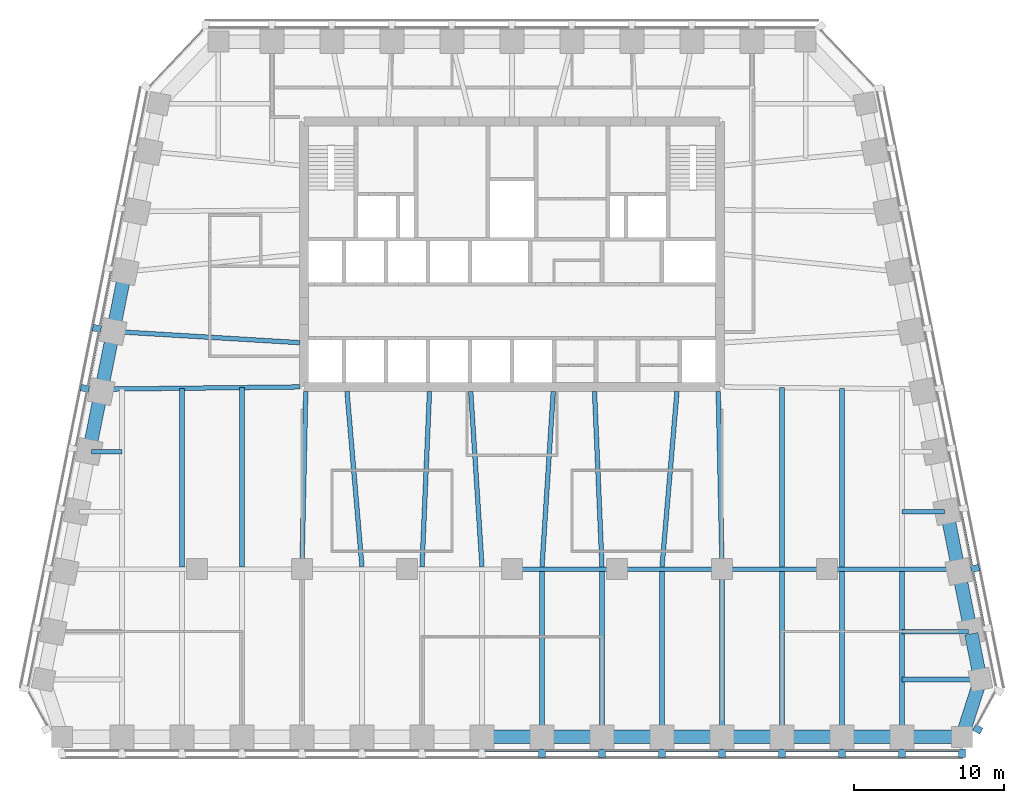
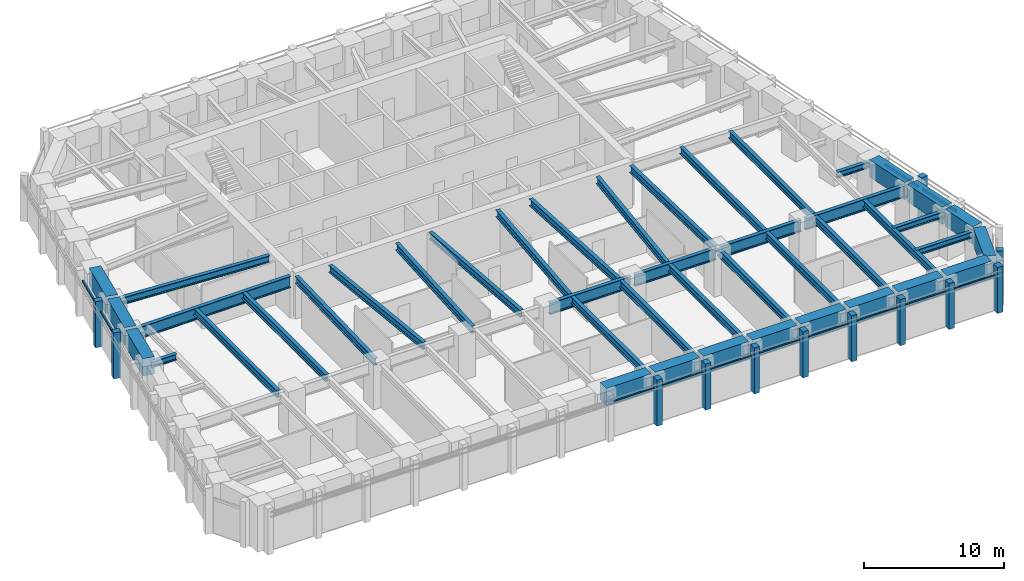
# One storey, part 2 of 10: 44 beams, 24 members, 4 elements without a shape of their own.
"""IFC4 building model written with IfcOpenShell, lengths in metres."""

from ifc_helpers import new_model, si_unit, direction, frame, origin, origin_2d, place, context, subcontext, project, spatial, rectangle, i_section, extrude, material, material_profile, profile_set, type_object, element, aggregate, save


model = new_model("IFC4")

# Units and contexts
model_context = context("Model", 3, precision=1e-05, world=origin(), true_north=direction((0.0, 1.0)))
body_context = subcontext(model_context, "Body", "Model", "MODEL_VIEW")
ifc_project = project(units=[si_unit("LENGTHUNIT", "METRE"), si_unit("AREAUNIT", "SQUARE_METRE"), si_unit("VOLUMEUNIT", "CUBIC_METRE"), si_unit("PLANEANGLEUNIT", "RADIAN"), si_unit("MASSUNIT", "GRAM", prefix="KILO")], contexts=[model_context])

# Site, building, storey
site_placement = place(None, origin())
site = spatial("IfcSite", under=ifc_project, at=site_placement, CompositionType="ELEMENT")
building_placement = place(site_placement, origin())
building = spatial("IfcBuilding", under=site, at=building_placement, Name="Isbrekke Arena Tower", CompositionType="ELEMENT")
storey_placement = place(building_placement, frame((0.0, 0.0, 238.0)))
storey = spatial("IfcBuildingStorey", under=building, at=storey_placement, Name="L55", CompositionType="ELEMENT", Elevation=238.0)

# Beams
ifc_material_1 = material(Name="Steel S355", Category="steel")
ifc_material_profile_1 = material_profile(ifc_material_1, i_section(OverallWidth=0.304931640625, OverallDepth=0.6201171875, WebThickness=0.02099609375, FlangeThickness=0.0400390625, FilletRadius=0.027099609375, at=origin_2d()), Name="HEM 600")
ifc_profile_set_1 = profile_set([ifc_material_profile_1], Name="Steel S355")
beam_type_1 = type_object("IfcBeamType", Name="B4 HEM 600", PredefinedType="BEAM", material=ifc_profile_set_1)
for number, where, z_axis, x_axis, name in (
    (1, (2.0, -17.02490234375, 3.43994140625), (0.0, 1.0, 0.0), (-1.0, 0.0, 0.0), "B4 beam S-S09 L55"),
    (2, (6.0, -17.02490234375, 3.43994140625), (0.0, 1.0, 0.0), (-1.0, 0.0, 0.0), "B4 beam S-S10 L55"),
    (3, (10.0, -17.02490234375, 3.43994140625), (0.0, 1.0, 0.0), (-1.0, 0.0, 0.0), "B4 beam S-S11 L55"),
):
    element("IfcBeam", number, at=place(storey_placement, frame(where, z_axis=z_axis, x_axis=x_axis)), inside=storey, type_object=beam_type_1, Name=name, PredefinedType="BEAM", context=body_context, shape_type="SweptSolid", body=[
        extrude(i_section(OverallWidth=0.304931640625, OverallDepth=0.6201171875, WebThickness=0.02099609375, FlangeThickness=0.0400390625, FilletRadius=0.027099609375, at=origin_2d()), origin(), (0.0, 0.0, 1.0), 10.8740234375),
    ])
beam_1_placement = place(storey_placement, frame((14.0, -17.02490234375, 3.43994140625), z_axis=(0.0, 1.0, 0.0), x_axis=(-1.0, 0.0, 0.0)))
element("IfcBeam", 4, at=beam_1_placement, inside=storey, type_object=beam_type_1, Name="B4 beam S-S12 L55", PredefinedType="BEAM", context=body_context, shape_type="SweptSolid", body=[
    extrude(i_section(OverallWidth=0.304931640625, OverallDepth=0.6201171875, WebThickness=0.02099609375, FlangeThickness=0.0400390625, FilletRadius=0.027099609375, at=origin_2d()), origin(), (0.0, 0.0, 1.0), 10.875),
])
for number, where, z_axis, x_axis, name in (
    (5, (18.0, -17.02490234375, 3.43994140625), (0.0, 1.0, 0.0), (-1.0, 0.0, 0.0), "B4 beam S-S13 L55"),
    (6, (22.0, -17.02490234375, 3.43994140625), (0.0, 1.0, 0.0), (-1.0, 0.0, 0.0), "B4 beam S-S14 L55"),
    (7, (26.0, -17.02490234375, 3.43994140625), (0.0, 1.0, 0.0), (-1.0, 0.0, 0.0), "B4 beam S-S15 L55"),
):
    element("IfcBeam", number, at=place(storey_placement, frame(where, z_axis=z_axis, x_axis=x_axis)), inside=storey, type_object=beam_type_1, Name=name, PredefinedType="BEAM", context=body_context, shape_type="SweptSolid", body=[
        extrude(i_section(OverallWidth=0.304931640625, OverallDepth=0.6201171875, WebThickness=0.02099609375, FlangeThickness=0.0400390625, FilletRadius=0.027099609375, at=origin_2d()), origin(), (0.0, 0.0, 1.0), 10.8740234375),
    ])
beam_2_placement = place(storey_placement, frame((-22.0, -5.84912109375, 3.43994140625), z_axis=(0.0, 1.0, 0.0), x_axis=(-1.0, 0.0, 0.0)))
element("IfcBeam", 8, at=beam_2_placement, inside=storey, type_object=beam_type_1, Name="B4 beam C-M02 L55", PredefinedType="BEAM", context=body_context, shape_type="SweptSolid", body=[
    extrude(i_section(OverallWidth=0.304931640625, OverallDepth=0.6201171875, WebThickness=0.02099609375, FlangeThickness=0.0400390625, FilletRadius=0.027099609375, at=origin_2d()), origin(), (0.0, 0.0, 1.0), 11.91015625),
])
beam_3_placement = place(storey_placement, frame((-18.0, -5.84912109375, 3.43994140625), z_axis=(0.0, 1.0, 0.0), x_axis=(-1.0, 0.0, 0.0)))
element("IfcBeam", 9, at=beam_3_placement, inside=storey, type_object=beam_type_1, Name="B4 beam C-M03 L55", PredefinedType="BEAM", context=body_context, shape_type="SweptSolid", body=[
    extrude(i_section(OverallWidth=0.304931640625, OverallDepth=0.6201171875, WebThickness=0.02099609375, FlangeThickness=0.0400390625, FilletRadius=0.027099609375, at=origin_2d()), origin(), (0.0, 0.0, 1.0), 11.95556640625),
])
beam_4_placement = place(storey_placement, frame((-14.0, -5.8466796875, 3.43994140625), z_axis=(0.021368528218, 0.999771666933, 0.0), x_axis=(-0.999771666933, 0.021368528218, 0.0)))
element("IfcBeam", 10, at=beam_4_placement, inside=storey, type_object=beam_type_1, Name="B4 beam C-M04 L55", PredefinedType="BEAM", context=body_context, shape_type="SweptSolid", body=[
    extrude(i_section(OverallWidth=0.304931640625, OverallDepth=0.6201171875, WebThickness=0.02099609375, FlangeThickness=0.0400390625, FilletRadius=0.027099609375, at=origin_2d()), origin(), (0.0, 0.0, 1.0), 11.699462890625),
])
beam_5_placement = place(storey_placement, frame((-10.001220703125, -5.8359375, 3.43994140625), z_axis=(-0.085157304172, 0.996367519315, 0.0), x_axis=(-0.996367519315, -0.085157304172, 0.0)))
element("IfcBeam", 11, at=beam_5_placement, inside=storey, type_object=beam_type_1, Name="B4 beam C-M05 L55", PredefinedType="BEAM", context=body_context, shape_type="SweptSolid", body=[
    extrude(i_section(OverallWidth=0.304931640625, OverallDepth=0.6201171875, WebThickness=0.02099609375, FlangeThickness=0.0400390625, FilletRadius=0.027099609375, at=origin_2d()), origin(), (0.0, 0.0, 1.0), 11.728759765625),
])
beam_6_placement = place(storey_placement, frame((-5.999755859375, -5.842529296875, 3.43994140625), z_axis=(0.042702124015, 0.999087848292, 0.0), x_axis=(-0.999087848292, 0.042702124015, 0.0)))
element("IfcBeam", 12, at=beam_6_placement, inside=storey, type_object=beam_type_1, Name="B4 beam C-M06 L55", PredefinedType="BEAM", context=body_context, shape_type="SweptSolid", body=[
    extrude(i_section(OverallWidth=0.304931640625, OverallDepth=0.6201171875, WebThickness=0.02099609375, FlangeThickness=0.0400390625, FilletRadius=0.027099609375, at=origin_2d()), origin(), (0.0, 0.0, 1.0), 11.703369140625),
])
for number, where, z_axis, x_axis, name in (
    (13, (-2.000732421875, -5.83935546875, 3.43994140625), (-0.063966475255, 0.997952047968, 0.0), (-0.997952047968, -0.063966475255, 0.0), "B4 beam C-M07 L55"),
    (14, (2.000732421875, -5.83935546875, 3.43994140625), (0.063966475255, 0.997952047968, 0.0), (-0.997952047968, 0.063966475255, 0.0), "B4 beam C-M08 L55"),
):
    element("IfcBeam", number, at=place(storey_placement, frame(where, z_axis=z_axis, x_axis=x_axis)), inside=storey, type_object=beam_type_1, Name=name, PredefinedType="BEAM", context=body_context, shape_type="SweptSolid", body=[
        extrude(i_section(OverallWidth=0.304931640625, OverallDepth=0.6201171875, WebThickness=0.02099609375, FlangeThickness=0.0400390625, FilletRadius=0.027099609375, at=origin_2d()), origin(), (0.0, 0.0, 1.0), 11.71337890625),
    ])
beam_7_placement = place(storey_placement, frame((5.999755859375, -5.842529296875, 3.43994140625), z_axis=(-0.042702124015, 0.999087848292, 0.0), x_axis=(-0.999087848292, -0.042702124015, 0.0)))
element("IfcBeam", 15, at=beam_7_placement, inside=storey, type_object=beam_type_1, Name="B4 beam C-M09 L55", PredefinedType="BEAM", context=body_context, shape_type="SweptSolid", body=[
    extrude(i_section(OverallWidth=0.304931640625, OverallDepth=0.6201171875, WebThickness=0.02099609375, FlangeThickness=0.0400390625, FilletRadius=0.027099609375, at=origin_2d()), origin(), (0.0, 0.0, 1.0), 11.703369140625),
])
beam_8_placement = place(storey_placement, frame((10.001220703125, -5.8359375, 3.43994140625), z_axis=(0.085157304172, 0.996367519315, 0.0), x_axis=(-0.996367519315, 0.085157304172, 0.0)))
element("IfcBeam", 16, at=beam_8_placement, inside=storey, type_object=beam_type_1, Name="B4 beam C-M10 L55", PredefinedType="BEAM", context=body_context, shape_type="SweptSolid", body=[
    extrude(i_section(OverallWidth=0.304931640625, OverallDepth=0.6201171875, WebThickness=0.02099609375, FlangeThickness=0.0400390625, FilletRadius=0.027099609375, at=origin_2d()), origin(), (0.0, 0.0, 1.0), 11.728759765625),
])
beam_9_placement = place(storey_placement, frame((14.0, -5.8466796875, 3.43994140625), z_axis=(-0.021368528218, 0.999771666933, 0.0), x_axis=(-0.999771666933, -0.021368528218, 0.0)))
element("IfcBeam", 17, at=beam_9_placement, inside=storey, type_object=beam_type_1, Name="B4 beam C-M11 L55", PredefinedType="BEAM", context=body_context, shape_type="SweptSolid", body=[
    extrude(i_section(OverallWidth=0.304931640625, OverallDepth=0.6201171875, WebThickness=0.02099609375, FlangeThickness=0.0400390625, FilletRadius=0.027099609375, at=origin_2d()), origin(), (0.0, 0.0, 1.0), 11.699462890625),
])
beam_10_placement = place(storey_placement, frame((18.0, -5.84912109375, 3.43994140625), z_axis=(0.0, 1.0, 0.0), x_axis=(-1.0, 0.0, 0.0)))
element("IfcBeam", 18, at=beam_10_placement, inside=storey, type_object=beam_type_1, Name="B4 beam C-M12 L55", PredefinedType="BEAM", context=body_context, shape_type="SweptSolid", body=[
    extrude(i_section(OverallWidth=0.304931640625, OverallDepth=0.6201171875, WebThickness=0.02099609375, FlangeThickness=0.0400390625, FilletRadius=0.027099609375, at=origin_2d()), origin(), (0.0, 0.0, 1.0), 11.95556640625),
])
beam_11_placement = place(storey_placement, frame((22.0, -5.84912109375, 3.43994140625), z_axis=(0.0, 1.0, 0.0), x_axis=(-1.0, 0.0, 0.0)))
element("IfcBeam", 19, at=beam_11_placement, inside=storey, type_object=beam_type_1, Name="B4 beam C-M13 L55", PredefinedType="BEAM", context=body_context, shape_type="SweptSolid", body=[
    extrude(i_section(OverallWidth=0.304931640625, OverallDepth=0.6201171875, WebThickness=0.02099609375, FlangeThickness=0.0400390625, FilletRadius=0.027099609375, at=origin_2d()), origin(), (0.0, 0.0, 1.0), 11.91015625),
])
beam_12_placement = place(storey_placement, frame((-26.431884765625, 9.837646484375, 3.43994140625), z_axis=(0.998201783607, -0.059943299904, 0.0), x_axis=(0.059943299904, 0.998201783607, 0.0)))
element("IfcBeam", 20, at=beam_12_placement, inside=storey, type_object=beam_type_1, Name="B4 beam E-W05 L55", PredefinedType="BEAM", context=body_context, shape_type="SweptSolid", body=[
    extrude(i_section(OverallWidth=0.304931640625, OverallDepth=0.6201171875, WebThickness=0.02099609375, FlangeThickness=0.0400390625, FilletRadius=0.027099609375, at=origin_2d()), origin(), (0.0, 0.0, 1.0), 12.30419921875),
])
ifc_material_2 = material(Name="Steel S355", Category="steel")
ifc_material_profile_2 = material_profile(ifc_material_2, i_section(OverallWidth=0.305908203125, OverallDepth=0.52392578125, WebThickness=0.02099609375, FlangeThickness=0.0400390625, FilletRadius=0.027099609375, at=origin_2d()), Name="HEM 500")
ifc_profile_set_2 = profile_set([ifc_material_profile_2], Name="Steel S355")
beam_type_2 = type_object("IfcBeamType", Name="B5 HEM 500", PredefinedType="BEAM", material=ifc_profile_set_2)
beam_13_placement = place(storey_placement, frame((31.079345703125, -13.352783203125, 3.488037109375), z_axis=(-1.0, 0.0, 0.0), x_axis=(0.0, -1.0, 0.0)))
element("IfcBeam", 21, at=beam_13_placement, inside=storey, type_object=beam_type_2, Name="B5 beam E-E01 L55", PredefinedType="BEAM", context=body_context, shape_type="SweptSolid", body=[
    extrude(i_section(OverallWidth=0.305908203125, OverallDepth=0.52392578125, WebThickness=0.02099609375, FlangeThickness=0.0400390625, FilletRadius=0.027099609375, at=origin_2d()), origin(), (0.0, 0.0, 1.0), 5.079345703125),
])
beam_14_placement = place(storey_placement, frame((30.44091796875, -10.161865234375, 3.488037109375), z_axis=(-1.0, 0.0, 0.0), x_axis=(0.0, -1.0, 0.0)))
element("IfcBeam", 22, at=beam_14_placement, inside=storey, type_object=beam_type_2, Name="B5 beam E-E02 L55", PredefinedType="BEAM", context=body_context, shape_type="SweptSolid", body=[
    extrude(i_section(OverallWidth=0.305908203125, OverallDepth=0.52392578125, WebThickness=0.02099609375, FlangeThickness=0.0400390625, FilletRadius=0.027099609375, at=origin_2d()), origin(), (0.0, 0.0, 1.0), 4.44091796875),
])
beam_15_placement = place(storey_placement, frame((28.841064453125, -2.161865234375, 3.488037109375), z_axis=(-1.0, 0.0, 0.0), x_axis=(0.0, -1.0, 0.0)))
element("IfcBeam", 23, at=beam_15_placement, inside=storey, type_object=beam_type_2, Name="B5 beam E-E04 L55", PredefinedType="BEAM", context=body_context, shape_type="SweptSolid", body=[
    extrude(i_section(OverallWidth=0.305908203125, OverallDepth=0.52392578125, WebThickness=0.02099609375, FlangeThickness=0.0400390625, FilletRadius=0.027099609375, at=origin_2d()), origin(), (0.0, 0.0, 1.0), 2.841064453125),
])
beam_16_placement = place(storey_placement, frame((-28.041015625, 1.838134765625, 3.488037109375), z_axis=(1.0, 0.0, 0.0), x_axis=(0.0, 1.0, 0.0)))
element("IfcBeam", 24, at=beam_16_placement, inside=storey, type_object=beam_type_2, Name="B5 beam E-W07 L55", PredefinedType="BEAM", context=body_context, shape_type="SweptSolid", body=[
    extrude(i_section(OverallWidth=0.305908203125, OverallDepth=0.52392578125, WebThickness=0.02099609375, FlangeThickness=0.0400390625, FilletRadius=0.027099609375, at=origin_2d()), origin(), (0.0, 0.0, 1.0), 2.041015625),
])

# Curtain wall, members
ifc_material_3 = material(Name="Glazed aluminium curtain wall", Category="aluminium")
curtain_wall_type = type_object("IfcCurtainWallType", Name="CWH TOWER CURTAIN WALL HIGH ZONE", PredefinedType="USERDEFINED", material=ifc_material_3)
curtain_wall_1_placement = place(storey_placement, origin())
curtain_wall_1 = element("IfcCurtainWall", 25, at=curtain_wall_1_placement, inside=storey, type_object=curtain_wall_type, Name="CWH curtain wall L55-S", ObjectType="TOWER CURTAIN WALL HIGH ZONE", PredefinedType="USERDEFINED")
ifc_material_4 = material(Name="Aluminium mullion, pale brick slip cladding", Category="masonry")
ifc_material_profile_3 = material_profile(ifc_material_4, rectangle(XDim=0.449951171875, YDim=0.550048828125, at=origin_2d()), Name="PIER 450X550")
ifc_profile_set_3 = profile_set([ifc_material_profile_3], Name="Aluminium mullion, pale brick slip cladding")
member_type_1 = type_object("IfcMemberType", Name="CWH-M PIER MULLION 450 x 550", PredefinedType="MULLION", material=ifc_profile_set_3)
member_1_placement = place(storey_placement, frame((2.0, -18.27490234375, 0.0), z_axis=(0.0, 0.0, 1.0), x_axis=(1.0, 0.0, 0.0)))
member_1 = element("IfcMember", 26, at=member_1_placement, type_object=member_type_1, Name="CWH-M mullion 9", PredefinedType="MULLION", context=body_context, shape_type="SweptSolid", body=[
    extrude(rectangle(XDim=0.449951171875, YDim=0.550048828125, at=origin_2d()), origin(), (0.0, 0.0, 1.0), 4.0),
])
member_2_placement = place(storey_placement, frame((6.0, -18.27490234375, 0.0), z_axis=(0.0, 0.0, 1.0), x_axis=(1.0, 0.0, 0.0)))
member_2 = element("IfcMember", 27, at=member_2_placement, type_object=member_type_1, Name="CWH-M mullion 10", PredefinedType="MULLION", context=body_context, shape_type="SweptSolid", body=[
    extrude(rectangle(XDim=0.449951171875, YDim=0.550048828125, at=origin_2d()), origin(), (0.0, 0.0, 1.0), 4.0),
])
member_3_placement = place(storey_placement, frame((10.0, -18.27490234375, 0.0), z_axis=(0.0, 0.0, 1.0), x_axis=(1.0, 0.0, 0.0)))
member_3 = element("IfcMember", 28, at=member_3_placement, type_object=member_type_1, Name="CWH-M mullion 11", PredefinedType="MULLION", context=body_context, shape_type="SweptSolid", body=[
    extrude(rectangle(XDim=0.449951171875, YDim=0.550048828125, at=origin_2d()), origin(), (0.0, 0.0, 1.0), 4.0),
])
member_4_placement = place(storey_placement, frame((14.0, -18.27490234375, 0.0), z_axis=(0.0, 0.0, 1.0), x_axis=(1.0, 0.0, 0.0)))
member_4 = element("IfcMember", 29, at=member_4_placement, type_object=member_type_1, Name="CWH-M mullion 12", PredefinedType="MULLION", context=body_context, shape_type="SweptSolid", body=[
    extrude(rectangle(XDim=0.449951171875, YDim=0.550048828125, at=origin_2d()), origin(), (0.0, 0.0, 1.0), 4.0),
])
member_5_placement = place(storey_placement, frame((18.0, -18.27490234375, 0.0), z_axis=(0.0, 0.0, 1.0), x_axis=(1.0, 0.0, 0.0)))
member_5 = element("IfcMember", 30, at=member_5_placement, type_object=member_type_1, Name="CWH-M mullion 13", PredefinedType="MULLION", context=body_context, shape_type="SweptSolid", body=[
    extrude(rectangle(XDim=0.449951171875, YDim=0.550048828125, at=origin_2d()), origin(), (0.0, 0.0, 1.0), 4.0),
])
member_6_placement = place(storey_placement, frame((22.0, -18.27490234375, 0.0), z_axis=(0.0, 0.0, 1.0), x_axis=(1.0, 0.0, 0.0)))
member_6 = element("IfcMember", 31, at=member_6_placement, type_object=member_type_1, Name="CWH-M mullion 14", PredefinedType="MULLION", context=body_context, shape_type="SweptSolid", body=[
    extrude(rectangle(XDim=0.449951171875, YDim=0.550048828125, at=origin_2d()), origin(), (0.0, 0.0, 1.0), 4.0),
])
member_7_placement = place(storey_placement, frame((26.0, -18.27490234375, 0.0), z_axis=(0.0, 0.0, 1.0), x_axis=(1.0, 0.0, 0.0)))
member_7 = element("IfcMember", 32, at=member_7_placement, type_object=member_type_1, Name="CWH-M mullion 15", PredefinedType="MULLION", context=body_context, shape_type="SweptSolid", body=[
    extrude(rectangle(XDim=0.449951171875, YDim=0.550048828125, at=origin_2d()), origin(), (0.0, 0.0, 1.0), 4.0),
])
member_8_placement = place(storey_placement, frame((30.0, -18.27490234375, 0.0), z_axis=(0.0, 0.0, 1.0), x_axis=(1.0, 0.0, 0.0)))
member_8 = element("IfcMember", 33, at=member_8_placement, type_object=member_type_1, Name="CWH-M mullion 16", PredefinedType="MULLION", context=body_context, shape_type="SweptSolid", body=[
    extrude(rectangle(XDim=0.449951171875, YDim=0.550048828125, at=origin_2d()), origin(), (0.0, 0.0, 1.0), 4.0),
])

# Curtain wall, member
curtain_wall_2_placement = place(storey_placement, origin())
curtain_wall_2 = element("IfcCurtainWall", 34, at=curtain_wall_2_placement, inside=storey, type_object=curtain_wall_type, Name="CWH curtain wall L55-SE", ObjectType="TOWER CURTAIN WALL HIGH ZONE", PredefinedType="USERDEFINED")
member_9_placement = place(storey_placement, frame((31.047119140625, -16.666748046875, 0.0), z_axis=(0.0, 0.0, 1.0), x_axis=(0.481918749773, 0.876215908676, 0.0)))
member_9 = element("IfcMember", 35, at=member_9_placement, type_object=member_type_1, Name="CWH-M mullion 1", PredefinedType="MULLION", context=body_context, shape_type="SweptSolid", body=[
    extrude(rectangle(XDim=0.449951171875, YDim=0.550048828125, at=origin_2d()), origin(), (0.0, 0.0, 1.0), 4.0),
])
aggregate(curtain_wall_2, [member_9])

curtain_wall_3_placement = place(storey_placement, origin())
curtain_wall_3 = element("IfcCurtainWall", 36, at=curtain_wall_3_placement, inside=storey, type_object=curtain_wall_type, Name="CWH curtain wall L55-E", ObjectType="TOWER CURTAIN WALL HIGH ZONE", PredefinedType="USERDEFINED")
member_10_placement = place(storey_placement, frame((30.86962890625, -5.946044921875, 0.0), z_axis=(0.0, 0.0, 1.0), x_axis=(-0.196116135138, 0.980580675691, 0.0)))
member_10 = element("IfcMember", 37, at=member_10_placement, type_object=member_type_1, Name="CWH-M mullion 2", PredefinedType="MULLION", context=body_context, shape_type="SweptSolid", body=[
    extrude(rectangle(XDim=0.449951171875, YDim=0.550048828125, at=origin_2d()), origin(), (0.0, 0.0, 1.0), 4.0),
])

# Curtain wall, members
curtain_wall_4_placement = place(storey_placement, origin())
curtain_wall_4 = element("IfcCurtainWall", 38, at=curtain_wall_4_placement, inside=storey, type_object=curtain_wall_type, Name="CWH curtain wall L55-W", ObjectType="TOWER CURTAIN WALL HIGH ZONE", PredefinedType="USERDEFINED")
member_11_placement = place(storey_placement, frame((-27.669677734375, 10.053955078125, 0.0), z_axis=(0.0, 0.0, 1.0), x_axis=(-0.196116135138, -0.980580675691, 0.0)))
member_11 = element("IfcMember", 39, at=member_11_placement, type_object=member_type_1, Name="CWH-M mullion 4", PredefinedType="MULLION", context=body_context, shape_type="SweptSolid", body=[
    extrude(rectangle(XDim=0.449951171875, YDim=0.550048828125, at=origin_2d()), origin(), (0.0, 0.0, 1.0), 4.0),
])
member_12_placement = place(storey_placement, frame((-28.4697265625, 6.053955078125, 0.0), z_axis=(0.0, 0.0, 1.0), x_axis=(-0.196116135138, -0.980580675691, 0.0)))
member_12 = element("IfcMember", 40, at=member_12_placement, type_object=member_type_1, Name="CWH-M mullion 5", PredefinedType="MULLION", context=body_context, shape_type="SweptSolid", body=[
    extrude(rectangle(XDim=0.449951171875, YDim=0.550048828125, at=origin_2d()), origin(), (0.0, 0.0, 1.0), 4.0),
])

# Member
ifc_material_5 = material(Name="Aluminium transom", Category="aluminium")
ifc_material_profile_4 = material_profile(ifc_material_5, rectangle(XDim=0.1201171875, YDim=0.199951171875, at=origin_2d()), Name="TRANSOM 120X200")
ifc_profile_set_4 = profile_set([ifc_material_profile_4], Name="Aluminium transom")
member_type_2 = type_object("IfcMemberType", Name="CWH-T TRANSOM 120 x 200", PredefinedType="USERDEFINED", material=ifc_profile_set_4)
member_13_placement = place(storey_placement, frame((-1.77490234375, -18.10009765625, 3.0), z_axis=(1.0, 0.0, 0.0), x_axis=(0.0, 1.0, 0.0)))
member_13 = element("IfcMember", 41, at=member_13_placement, type_object=member_type_2, Name="CWH-T transom 8", ObjectType="TRANSOM", PredefinedType="USERDEFINED", context=body_context, shape_type="SweptSolid", body=[
    extrude(rectangle(XDim=0.1201171875, YDim=0.199951171875, at=origin_2d()), origin(), (0.0, 0.0, 1.0), 3.5498046875),
])

member_14_placement = place(storey_placement, frame((2.22509765625, -18.10009765625, 3.0), z_axis=(1.0, 0.0, 0.0), x_axis=(0.0, 1.0, 0.0)))
member_14 = element("IfcMember", 42, at=member_14_placement, type_object=member_type_2, Name="CWH-T transom 9", ObjectType="TRANSOM", PredefinedType="USERDEFINED", context=body_context, shape_type="SweptSolid", body=[
    extrude(rectangle(XDim=0.1201171875, YDim=0.199951171875, at=origin_2d()), origin(), (0.0, 0.0, 1.0), 3.5498046875),
])

member_15_placement = place(storey_placement, frame((6.22509765625, -18.10009765625, 3.0), z_axis=(1.0, 0.0, 0.0), x_axis=(0.0, 1.0, 0.0)))
member_15 = element("IfcMember", 43, at=member_15_placement, type_object=member_type_2, Name="CWH-T transom 10", ObjectType="TRANSOM", PredefinedType="USERDEFINED", context=body_context, shape_type="SweptSolid", body=[
    extrude(rectangle(XDim=0.1201171875, YDim=0.199951171875, at=origin_2d()), origin(), (0.0, 0.0, 1.0), 3.5498046875),
])

member_16_placement = place(storey_placement, frame((10.22509765625, -18.10009765625, 3.0), z_axis=(1.0, 0.0, 0.0), x_axis=(0.0, 1.0, 0.0)))
member_16 = element("IfcMember", 44, at=member_16_placement, type_object=member_type_2, Name="CWH-T transom 11", ObjectType="TRANSOM", PredefinedType="USERDEFINED", context=body_context, shape_type="SweptSolid", body=[
    extrude(rectangle(XDim=0.1201171875, YDim=0.199951171875, at=origin_2d()), origin(), (0.0, 0.0, 1.0), 3.5498046875),
])

member_17_placement = place(storey_placement, frame((14.22509765625, -18.10009765625, 3.0), z_axis=(1.0, 0.0, 0.0), x_axis=(0.0, 1.0, 0.0)))
member_17 = element("IfcMember", 45, at=member_17_placement, type_object=member_type_2, Name="CWH-T transom 12", ObjectType="TRANSOM", PredefinedType="USERDEFINED", context=body_context, shape_type="SweptSolid", body=[
    extrude(rectangle(XDim=0.1201171875, YDim=0.199951171875, at=origin_2d()), origin(), (0.0, 0.0, 1.0), 3.5498046875),
])

member_18_placement = place(storey_placement, frame((18.22509765625, -18.10009765625, 3.0), z_axis=(1.0, 0.0, 0.0), x_axis=(0.0, 1.0, 0.0)))
member_18 = element("IfcMember", 46, at=member_18_placement, type_object=member_type_2, Name="CWH-T transom 13", ObjectType="TRANSOM", PredefinedType="USERDEFINED", context=body_context, shape_type="SweptSolid", body=[
    extrude(rectangle(XDim=0.1201171875, YDim=0.199951171875, at=origin_2d()), origin(), (0.0, 0.0, 1.0), 3.5498046875),
])

member_19_placement = place(storey_placement, frame((22.22509765625, -18.10009765625, 3.0), z_axis=(1.0, 0.0, 0.0), x_axis=(0.0, 1.0, 0.0)))
member_19 = element("IfcMember", 47, at=member_19_placement, type_object=member_type_2, Name="CWH-T transom 14", ObjectType="TRANSOM", PredefinedType="USERDEFINED", context=body_context, shape_type="SweptSolid", body=[
    extrude(rectangle(XDim=0.1201171875, YDim=0.199951171875, at=origin_2d()), origin(), (0.0, 0.0, 1.0), 3.5498046875),
])

member_20_placement = place(storey_placement, frame((26.22509765625, -18.10009765625, 3.0), z_axis=(1.0, 0.0, 0.0), x_axis=(0.0, 1.0, 0.0)))
member_20 = element("IfcMember", 48, at=member_20_placement, type_object=member_type_2, Name="CWH-T transom 15", ObjectType="TRANSOM", PredefinedType="USERDEFINED", context=body_context, shape_type="SweptSolid", body=[
    extrude(rectangle(XDim=0.1201171875, YDim=0.199951171875, at=origin_2d()), origin(), (0.0, 0.0, 1.0), 3.5498046875),
])

aggregate(curtain_wall_1, [member_1, member_2, member_3, member_4, member_5, member_6, member_7, member_8, member_13, member_14, member_15, member_16, member_17, member_18, member_19, member_20])

member_21_placement = place(storey_placement, frame((31.453857421875, -9.759765625, 3.0), z_axis=(-0.196090262229, 0.980585849918, 0.0), x_axis=(-0.980585849918, -0.196090262229, 0.0)))
member_21 = element("IfcMember", 49, at=member_21_placement, type_object=member_type_2, Name="CWH-T transom 2", ObjectType="TRANSOM", PredefinedType="USERDEFINED", context=body_context, shape_type="SweptSolid", body=[
    extrude(rectangle(XDim=0.1201171875, YDim=0.199951171875, at=origin_2d()), origin(), (0.0, 0.0, 1.0), 3.62939453125),
])

member_22_placement = place(storey_placement, frame((30.654052734375, -5.759765625, 3.0), z_axis=(-0.196154943734, 0.980572913173, 0.0), x_axis=(-0.980572913173, -0.196154943734, 0.0)))
member_22 = element("IfcMember", 50, at=member_22_placement, type_object=member_type_2, Name="CWH-T transom 3", ObjectType="TRANSOM", PredefinedType="USERDEFINED", context=body_context, shape_type="SweptSolid", body=[
    extrude(rectangle(XDim=0.1201171875, YDim=0.199951171875, at=origin_2d()), origin(), (0.0, 0.0, 1.0), 3.62939453125),
])

aggregate(curtain_wall_3, [member_10, member_21, member_22])

member_23_placement = place(storey_placement, frame((-26.7421875, 13.799072265625, 3.0), z_axis=(-0.196090262229, -0.980585849918, 0.0), x_axis=(0.980585849918, -0.196090262229, 0.0)))
member_23 = element("IfcMember", 51, at=member_23_placement, type_object=member_type_2, Name="CWH-T transom 4", ObjectType="TRANSOM", PredefinedType="USERDEFINED", context=body_context, shape_type="SweptSolid", body=[
    extrude(rectangle(XDim=0.1201171875, YDim=0.199951171875, at=origin_2d()), origin(), (0.0, 0.0, 1.0), 3.62939453125),
])

member_24_placement = place(storey_placement, frame((-27.542236328125, 9.799072265625, 3.0), z_axis=(-0.196090262229, -0.980585849918, 0.0), x_axis=(0.980585849918, -0.196090262229, 0.0)))
member_24 = element("IfcMember", 52, at=member_24_placement, type_object=member_type_2, Name="CWH-T transom 5", ObjectType="TRANSOM", PredefinedType="USERDEFINED", context=body_context, shape_type="SweptSolid", body=[
    extrude(rectangle(XDim=0.1201171875, YDim=0.199951171875, at=origin_2d()), origin(), (0.0, 0.0, 1.0), 3.62939453125),
])

aggregate(curtain_wall_4, [member_11, member_12, member_23, member_24])

# Beams
ifc_material_6 = material(Name="Steel S355", Category="steel")
ifc_material_profile_5 = material_profile(ifc_material_6, i_section(OverallWidth=0.302001953125, OverallDepth=1.008056640625, WebThickness=0.02099609375, FlangeThickness=0.0400390625, FilletRadius=0.030029296875, at=origin_2d()), Name="HEM 1000")
ifc_profile_set_5 = profile_set([ifc_material_profile_5], Name="Steel S355")
beam_type_3 = type_object("IfcBeamType", Name="G1 HEM 1000", PredefinedType="BEAM", material=ifc_profile_set_5)
for number, where, z_axis, x_axis, name in (
    (53, (0.14990234375, -6.0, 3.24609375), (1.0, 0.0, 0.0), (0.0, 1.0, 0.0), "G1 beam G1-05 L55"),
    (54, (7.14990234375, -6.0, 3.24609375), (1.0, 0.0, 0.0), (0.0, 1.0, 0.0), "G1 beam G1-06 L55"),
    (55, (14.14990234375, -6.0, 3.24609375), (1.0, 0.0, 0.0), (0.0, 1.0, 0.0), "G1 beam G1-07 L55"),
):
    element("IfcBeam", number, at=place(storey_placement, frame(where, z_axis=z_axis, x_axis=x_axis)), inside=storey, type_object=beam_type_3, Name=name, PredefinedType="BEAM", context=body_context, shape_type="SweptSolid", body=[
        extrude(i_section(OverallWidth=0.302001953125, OverallDepth=1.008056640625, WebThickness=0.02099609375, FlangeThickness=0.0400390625, FilletRadius=0.030029296875, at=origin_2d()), origin(), (0.0, 0.0, 1.0), 6.7001953125),
    ])
beam_17_placement = place(storey_placement, frame((21.14990234375, -6.0, 3.24609375), z_axis=(1.0, 0.0, 0.0), x_axis=(0.0, 1.0, 0.0)))
element("IfcBeam", 56, at=beam_17_placement, inside=storey, type_object=beam_type_3, Name="G1 beam G1-08 L55", PredefinedType="BEAM", context=body_context, shape_type="SweptSolid", body=[
    extrude(i_section(OverallWidth=0.302001953125, OverallDepth=1.008056640625, WebThickness=0.02099609375, FlangeThickness=0.0400390625, FilletRadius=0.030029296875, at=origin_2d()), origin(), (0.0, 0.0, 1.0), 8.64111328125),
])
ifc_material_7 = material(Name="Steel S355", Category="steel")
ifc_material_profile_6 = material_profile(ifc_material_7, i_section(OverallWidth=0.302001953125, OverallDepth=1.008056640625, WebThickness=0.02099609375, FlangeThickness=0.0400390625, FilletRadius=0.030029296875, at=origin_2d()), Name="HEM 1000")
ifc_profile_set_6 = profile_set([ifc_material_profile_6], Name="Steel S355")
beam_type_4 = type_object("IfcBeamType", Name="G2 HEM 1000", PredefinedType="BEAM", material=ifc_profile_set_6)
beam_18_placement = place(storey_placement, frame((-14.14990234375, 6.14990234375, 3.24609375), z_axis=(-0.999935908299, -0.011321629528, 0.0), x_axis=(0.011321629528, -0.999935908299, 0.0)))
element("IfcBeam", 57, at=beam_18_placement, inside=storey, type_object=beam_type_4, Name="G2 beam G2-W L55", PredefinedType="BEAM", context=body_context, shape_type="SweptSolid", body=[
    extrude(i_section(OverallWidth=0.302001953125, OverallDepth=1.008056640625, WebThickness=0.02099609375, FlangeThickness=0.0400390625, FilletRadius=0.030029296875, at=origin_2d()), origin(), (0.0, 0.0, 1.0), 13.240234375),
])
ifc_material_8 = material(Name="Concrete B65 (C65/80)", Category="concrete")
ifc_material_profile_7 = material_profile(ifc_material_8, rectangle(XDim=0.89990234375, YDim=1.5, at=origin_2d()), Name="RC 900x1500")
ifc_profile_set_7 = profile_set([ifc_material_profile_7], Name="Concrete B65 (C65/80)")
beam_type_5 = type_object("IfcBeamType", Name="SB3 RC 900 x 1500", PredefinedType="SPANDREL", material=ifc_profile_set_7)
for number, where, z_axis, x_axis, name in (
    (58, (-1.85009765625, -17.175048828125, 3.25), (1.0, 0.0, 0.0), (0.0, 1.0, 0.0), "SB3 spandrel S08-S09 L55"),
    (59, (2.14990234375, -17.175048828125, 3.25), (1.0, 0.0, 0.0), (0.0, 1.0, 0.0), "SB3 spandrel S09-S10 L55"),
    (60, (6.14990234375, -17.175048828125, 3.25), (1.0, 0.0, 0.0), (0.0, 1.0, 0.0), "SB3 spandrel S10-S11 L55"),
    (61, (10.14990234375, -17.175048828125, 3.25), (1.0, 0.0, 0.0), (0.0, 1.0, 0.0), "SB3 spandrel S11-S12 L55"),
    (62, (14.14990234375, -17.175048828125, 3.25), (1.0, 0.0, 0.0), (0.0, 1.0, 0.0), "SB3 spandrel S12-S13 L55"),
    (63, (18.14990234375, -17.175048828125, 3.25), (1.0, 0.0, 0.0), (0.0, 1.0, 0.0), "SB3 spandrel S13-S14 L55"),
    (64, (22.14990234375, -17.175048828125, 3.25), (1.0, 0.0, 0.0), (0.0, 1.0, 0.0), "SB3 spandrel S14-S15 L55"),
    (65, (26.14990234375, -17.175048828125, 3.25), (1.0, 0.0, 0.0), (0.0, 1.0, 0.0), "SB3 spandrel S15-S16 L55"),
):
    element("IfcBeam", number, at=place(storey_placement, frame(where, z_axis=z_axis, x_axis=x_axis)), inside=storey, type_object=beam_type_5, Name=name, PredefinedType="SPANDREL", context=body_context, shape_type="SweptSolid", body=[
        extrude(rectangle(XDim=0.89990234375, YDim=1.5, at=origin_2d()), origin(), (0.0, 0.0, 1.0), 3.7001953125),
    ])
beam_19_placement = place(storey_placement, frame((30.0458984375, -17.0322265625, 3.25), z_axis=(0.306175101476, 0.951975213562, 0.0), x_axis=(-0.951975213562, 0.306175101476, 0.0)))
element("IfcBeam", 66, at=beam_19_placement, inside=storey, type_object=beam_type_5, Name="SB3 spandrel S16-E01 L55", PredefinedType="SPANDREL", context=body_context, shape_type="SweptSolid", body=[
    extrude(rectangle(XDim=0.89990234375, YDim=1.5, at=origin_2d()), origin(), (0.0, 0.0, 1.0), 3.715087890625),
])
beam_20_placement = place(storey_placement, frame((31.19970703125, -13.205810546875, 3.25), z_axis=(-0.196100243168, 0.980583853951, 0.0), x_axis=(-0.980583853951, -0.196100243168, 0.0)))
element("IfcBeam", 67, at=beam_20_placement, inside=storey, type_object=beam_type_5, Name="SB3 spandrel E01-E02 L55", PredefinedType="SPANDREL", context=body_context, shape_type="SweptSolid", body=[
    extrude(rectangle(XDim=0.89990234375, YDim=1.5, at=origin_2d()), origin(), (0.0, 0.0, 1.0), 2.954345703125),
])
beam_21_placement = place(storey_placement, frame((30.5615234375, -10.0146484375, 3.25), z_axis=(-0.1960664412, 0.980590613169, 0.0), x_axis=(-0.980590613169, -0.1960664412, 0.0)))
element("IfcBeam", 68, at=beam_21_placement, inside=storey, type_object=beam_type_5, Name="SB3 spandrel E02-E03 L55", PredefinedType="SPANDREL", context=body_context, shape_type="SweptSolid", body=[
    extrude(rectangle(XDim=0.89990234375, YDim=1.5, at=origin_2d()), origin(), (0.0, 0.0, 1.0), 3.779052734375),
])
beam_22_placement = place(storey_placement, frame((29.76171875, -6.0146484375, 3.25), z_axis=(-0.196128558387, 0.980578190959, 0.0), x_axis=(-0.980578190959, -0.196128558387, 0.0)))
element("IfcBeam", 69, at=beam_22_placement, inside=storey, type_object=beam_type_5, Name="SB3 spandrel E03-E04 L55", PredefinedType="SPANDREL", context=body_context, shape_type="SweptSolid", body=[
    extrude(rectangle(XDim=0.89990234375, YDim=1.5, at=origin_2d()), origin(), (0.0, 0.0, 1.0), 3.779296875),
])
beam_23_placement = place(storey_placement, frame((-25.820556640625, 13.691162109375, 3.25), z_axis=(-0.1960664412, -0.980590613169, 0.0), x_axis=(0.980590613169, -0.1960664412, 0.0)))
element("IfcBeam", 70, at=beam_23_placement, inside=storey, type_object=beam_type_5, Name="SB3 spandrel W04-W05 L55", PredefinedType="SPANDREL", context=body_context, shape_type="SweptSolid", body=[
    extrude(rectangle(XDim=0.89990234375, YDim=1.5, at=origin_2d()), origin(), (0.0, 0.0, 1.0), 3.779052734375),
])
for number, where, z_axis, x_axis, name in (
    (71, (-26.620361328125, 9.691162109375, 3.25), (-0.196128558387, -0.980578190959, 0.0), (0.980578190959, -0.196128558387, 0.0), "SB3 spandrel W05-W06 L55"),
    (72, (-27.42041015625, 5.691162109375, 3.25), (-0.196128558387, -0.980578190959, 0.0), (0.980578190959, -0.196128558387, 0.0), "SB3 spandrel W06-W07 L55"),
):
    element("IfcBeam", number, at=place(storey_placement, frame(where, z_axis=z_axis, x_axis=x_axis)), inside=storey, type_object=beam_type_5, Name=name, PredefinedType="SPANDREL", context=body_context, shape_type="SweptSolid", body=[
        extrude(rectangle(XDim=0.89990234375, YDim=1.5, at=origin_2d()), origin(), (0.0, 0.0, 1.0), 3.779296875),
    ])

save(model, "model.ifc")
